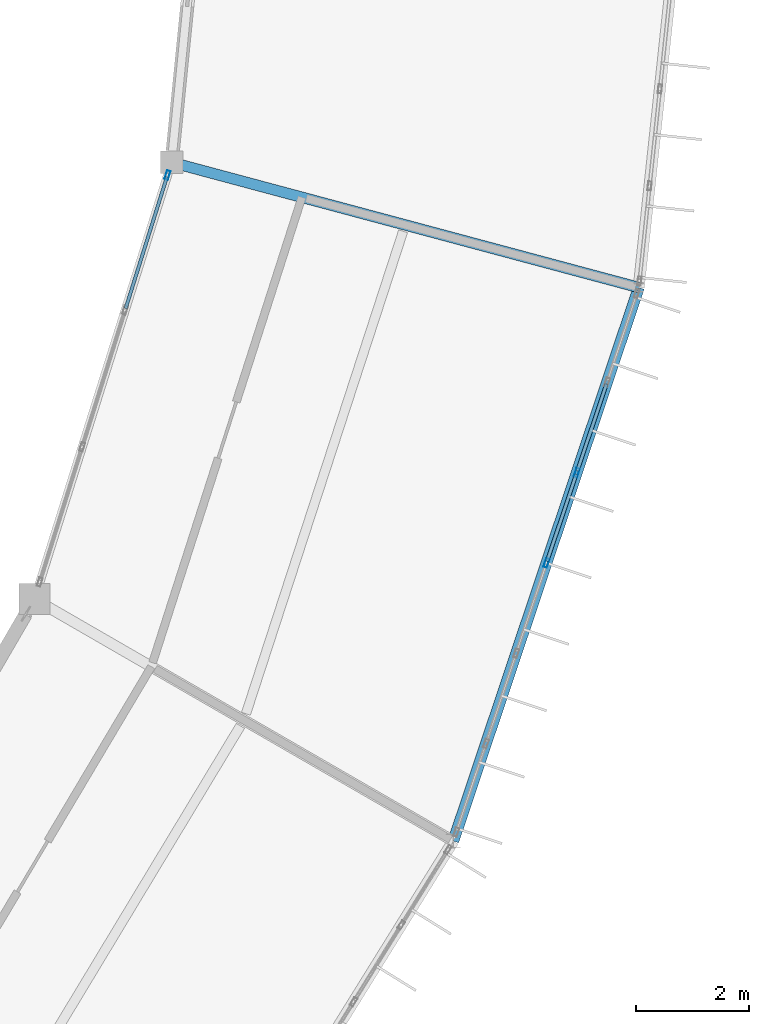
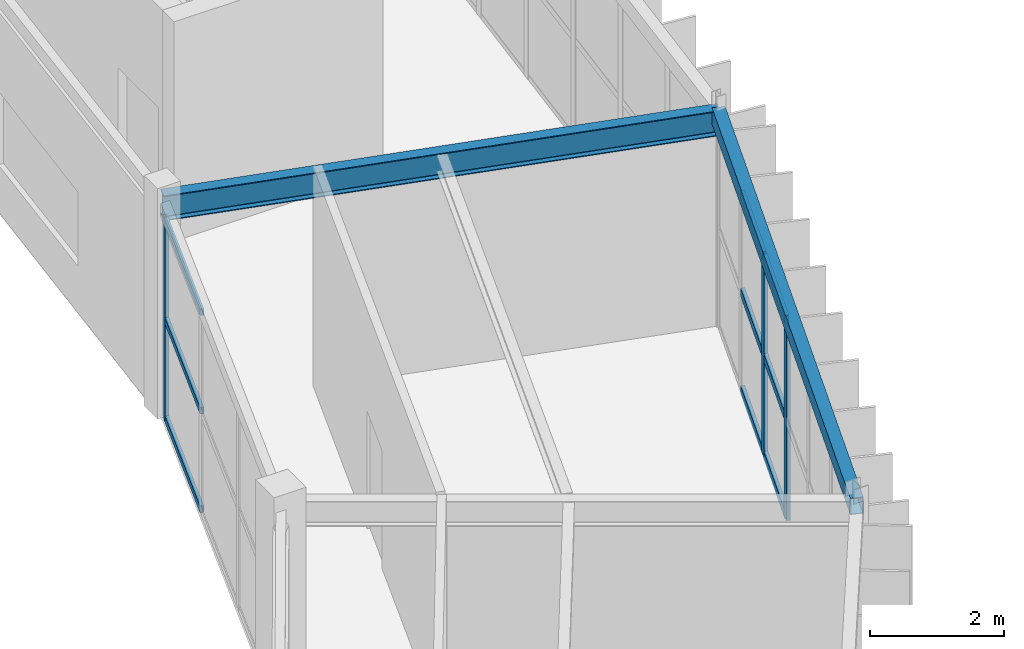
# One storey, part 56 of 130: 12 members, 2 beams, 2 elements without a shape of their own.
"""IFC4 building model written with IfcOpenShell, lengths in metres."""

import ifcopenshell
import ifcopenshell.guid

model = None  # the IFC model being written
_history = None  # IfcOwnerHistory: only IFC2X3 demands one
_inside = {}  # id of a spatial element -> (the spatial element, [elements in it])
_under = {}  # id of a project, library or spatial element -> (it, [spatial elements below it])
_declared = {}  # id of a project -> (the project, [libraries it declares])
_typed = {}  # id of a type object -> (the type object, [elements of that type])
_made_of = {}  # id of a material, layer set ... -> (it, [elements and type objects made of it])


def new_model(schema):
    """Start an empty IFC model of exactly this schema.

    Asked for "IFC4X3", IfcOpenShell would pick the latest addendum, in which some entities
    have other attributes; the version numbers below select the first issue.
    IFC2X3 requires an IfcOwnerHistory on every rooted entity: one is made here for all.
    """
    global model, _history
    if schema == "IFC4X3":
        model = ifcopenshell.file(schema_version=(4, 3, 0, 0))
    else:
        model = ifcopenshell.file(schema=schema)
    _inside.clear()
    _under.clear()
    _declared.clear()
    _typed.clear()
    _made_of.clear()
    _history = None
    if model.schema == "IFC2X3":
        org = make("IfcOrganization", Name="unknown")
        user = make(
            "IfcPersonAndOrganization",
            ThePerson=make("IfcPerson", FamilyName="unknown"),
            TheOrganization=org,
        )
        app = make(
            "IfcApplication",
            ApplicationDeveloper=org,
            Version="unknown",
            ApplicationFullName="unknown",
            ApplicationIdentifier="unknown",
        )
        _history = make(
            "IfcOwnerHistory",
            OwningUser=user,
            OwningApplication=app,
            ChangeAction="ADDED",
            CreationDate=0,
        )
    return model


def make(cls, **values):
    """One entity of the class cls with the attributes given. An attribute that is None is left unset."""
    return model.create_entity(
        cls, **{name: value for name, value in values.items() if value is not None}
    )


def rooted(cls, **values):
    """An entity with a GlobalId (a new one), such as an element, a storey or a relation."""
    return make(cls, GlobalId=ifcopenshell.guid.new(), OwnerHistory=_history, **values)


def si_unit(unit_type, name, prefix=None):
    """IfcSIUnit, for example si_unit("LENGTHUNIT", "METRE", prefix="MILLI")."""
    return make("IfcSIUnit", UnitType=unit_type, Prefix=prefix, Name=name)


def assignment(units):
    """IfcUnitAssignment: the units of a project."""
    return None if units is None else make("IfcUnitAssignment", Units=units)


def point(xyz):
    """IfcCartesianPoint."""
    return None if xyz is None else make("IfcCartesianPoint", Coordinates=xyz)


def direction(xyz):
    """IfcDirection."""
    return None if xyz is None else make("IfcDirection", DirectionRatios=xyz)


def frame(location, z_axis=None, x_axis=None):
    """IfcAxis2Placement3D, a coordinate frame: its origin and axes. An axis left out is left unset."""
    return make(
        "IfcAxis2Placement3D",
        Location=point(location),
        Axis=direction(z_axis),
        RefDirection=direction(x_axis),
    )


def frame_2d(location, x_axis=None):
    """IfcAxis2Placement2D, a coordinate frame in the plane: its origin and x axis."""
    return make(
        "IfcAxis2Placement2D", Location=point(location), RefDirection=direction(x_axis)
    )


def origin():
    """The frame at (0, 0, 0) with its axes left unset."""
    return frame((0.0, 0.0, 0.0))


def origin_2d():
    """The frame at (0, 0) in the plane with its x axis left unset."""
    return frame_2d((0.0, 0.0))


def place(relative_to, where):
    """IfcLocalPlacement: puts the frame where relative to a parent placement (None: the world)."""
    return make(
        "IfcLocalPlacement", PlacementRelTo=relative_to, RelativePlacement=where
    )


def context(
    kind, dimensions, precision=None, world=None, true_north=None, identifier=None
):
    """IfcGeometricRepresentationContext, for example the 3D "Model" context."""
    return make(
        "IfcGeometricRepresentationContext",
        ContextIdentifier=identifier,
        ContextType=kind,
        CoordinateSpaceDimension=dimensions,
        Precision=precision,
        WorldCoordinateSystem=world,
        TrueNorth=true_north,
    )


def subcontext(parent, identifier, kind, view, scale=None):
    """IfcGeometricRepresentationSubContext, for example "Body" below "Model"."""
    return make(
        "IfcGeometricRepresentationSubContext",
        ContextIdentifier=identifier,
        ContextType=kind,
        ParentContext=parent,
        TargetScale=scale,
        TargetView=view,
    )


def project(units=None, contexts=None):
    """IfcProject with its units and contexts."""
    return rooted(
        "IfcProject",
        Name="project",
        RepresentationContexts=contexts,
        UnitsInContext=assignment(units),
    )


def spatial(cls, under=None, at=None, **own):
    """A site, building, storey or space (cls), placed at a placement, below another one or the project."""
    s = rooted(cls, ObjectPlacement=at, **own)
    if under is not None:
        _under.setdefault(under.id(), (under, []))[1].append(s)
    return s


def profile(cls, at=None, kind="AREA", **sizes):
    """A parametric profile (cls). Its sizes go by their IFC names, for example OverallWidth=200.0."""
    return make(cls, ProfileType=kind, Position=at, **sizes)


def hollow_rectangle(**sizes):
    """IfcRectangleHollowProfileDef."""
    return profile("IfcRectangleHollowProfileDef", **sizes)


def i_section(**sizes):
    """IfcIShapeProfileDef."""
    return profile("IfcIShapeProfileDef", **sizes)


def extrude(swept, where, along, depth):
    """IfcExtrudedAreaSolid: the profile swept, set in the frame where, extruded along a direction by depth."""
    return make(
        "IfcExtrudedAreaSolid",
        SweptArea=swept,
        Position=where,
        ExtrudedDirection=direction(along),
        Depth=depth,
    )


def shape(context_of_items, identifier, shape_type, items):
    """IfcShapeRepresentation: the items that make up one representation, for example the "Body"."""
    return make(
        "IfcShapeRepresentation",
        ContextOfItems=context_of_items,
        RepresentationIdentifier=identifier,
        RepresentationType=shape_type,
        Items=items,
    )


def material(Name=None, Category=None):
    """IfcMaterial."""
    return make("IfcMaterial", Name=Name, Category=Category)


def material_profile(
    of_material, cross_section, Name=None, Category=None, Priority=None
):
    """IfcMaterialProfile: a cross section and its material."""
    return make(
        "IfcMaterialProfile",
        Name=Name,
        Material=of_material,
        Profile=cross_section,
        Priority=Priority,
        Category=Category,
    )


def profile_set(profiles, Name=None, composite=None):
    """IfcMaterialProfileSet."""
    return make(
        "IfcMaterialProfileSet",
        Name=Name,
        MaterialProfiles=profiles,
        CompositeProfile=composite,
    )


def made_of(thing, what):
    """Note that an element or type object is made of a material, layer set ...; save() writes the relation."""
    if what is not None:
        _made_of.setdefault(what.id(), (what, []))[1].append(thing)
    return thing


def type_object(cls, material=None, **own):
    """A type object (cls), such as IfcWallType, which elements share."""
    return made_of(rooted(cls, **own), material)


def element(
    cls,
    number,
    at=None,
    inside=None,
    cuts=None,
    type_object=None,
    material=None,
    context=None,
    identifier="Body",
    shape_type=None,
    held_by="IfcProductDefinitionShape",
    body=None,
    shapes=None,
    **own,
):
    """One element of the class cls, such as IfcWall. Its Tag is "e" and its number.

    at: its placement. inside: the storey or other place that contains it. cuts: it is an
    opening in that element (IfcRelVoidsElement). A single representation is given by context,
    identifier, shape_type and body (its items); several are given by shapes. held_by: the class
    of the entity that holds the representations. save() writes the other relations.
    """
    e = rooted(cls, Tag="e%d" % number, ObjectPlacement=at, **own)
    if body is not None:
        shapes = [shape(context, identifier, shape_type, body)]
    if shapes is not None:
        e.Representation = make(held_by, Representations=shapes)
    if inside is not None:
        _inside.setdefault(inside.id(), (inside, []))[1].append(e)
    if cuts is not None:
        rooted(
            "IfcRelVoidsElement", RelatingBuildingElement=cuts, RelatedOpeningElement=e
        )
    if type_object is not None:
        _typed.setdefault(type_object.id(), (type_object, []))[1].append(e)
    return made_of(e, material)


def aggregate(whole, parts):
    """IfcRelAggregates: a whole, such as a stair, and the parts it consists of."""
    return rooted("IfcRelAggregates", RelatingObject=whole, RelatedObjects=parts)


def save(model, path):
    """Write the relations noted so far, then the file.

    IfcRelAggregates (storeys below a building ...), IfcRelContainedInSpatialStructure (elements
    in a storey), IfcRelDefinesByType, IfcRelAssociatesMaterial and IfcRelDeclares: one each for
    every whole, place, type object, material and project.
    """
    for whole, parts in _under.values():
        aggregate(whole, parts)
    for where, things in _inside.values():
        rooted(
            "IfcRelContainedInSpatialStructure",
            RelatedElements=things,
            RelatingStructure=where,
        )
    for kind, things in _typed.values():
        rooted("IfcRelDefinesByType", RelatedObjects=things, RelatingType=kind)
    for what, things in _made_of.values():
        rooted("IfcRelAssociatesMaterial", RelatedObjects=things, RelatingMaterial=what)
    for by, libraries in _declared.values():
        rooted("IfcRelDeclares", RelatingContext=by, RelatedDefinitions=libraries)
    model.write(path)


model = new_model("IFC4")

# Units and contexts
model_context = context("Model", 3, precision=1e-05, world=origin(), true_north=direction((0.0, 1.0)))
body_context = subcontext(model_context, "Body", "Model", "MODEL_VIEW")
ifc_project = project(units=[si_unit("LENGTHUNIT", "METRE"), si_unit("AREAUNIT", "SQUARE_METRE"), si_unit("VOLUMEUNIT", "CUBIC_METRE"), si_unit("PLANEANGLEUNIT", "RADIAN"), si_unit("MASSUNIT", "GRAM", prefix="KILO")], contexts=[model_context])

# Site, building, storey
site_placement = place(None, origin())
site = spatial("IfcSite", under=ifc_project, at=site_placement, CompositionType="ELEMENT")
building_placement = place(site_placement, origin())
building = spatial("IfcBuilding", under=site, at=building_placement, Name="Karori Crest Natural Sciences Institute", CompositionType="ELEMENT")
storey_placement = place(building_placement, frame((0.0, 0.0, 17.5)))
storey = spatial("IfcBuildingStorey", under=building, at=storey_placement, Name="L04", CompositionType="ELEMENT", Elevation=17.5)

# Beams
ifc_material_1 = material(Name="Structural steel AS/NZS 3679.1 Grade 350", Category="steel")
ifc_material_profile_1 = material_profile(ifc_material_1, i_section(OverallWidth=0.19091796875, OverallDepth=0.4599609375, WebThickness=0.010009765625, FlangeThickness=0.01611328125, FilletRadius=0.010986328125, at=origin_2d()), Name="460UB82.1")
ifc_profile_set_1 = profile_set([ifc_material_profile_1], Name="Structural steel AS/NZS 3679.1 Grade 350")
beam_type_1 = type_object("IfcBeamType", Name="BT-06", PredefinedType="BEAM", material=ifc_profile_set_1)
beam_1_placement = place(storey_placement, frame((89.968505859375, 41.56591796875, 3.7099609375), z_axis=(0.96592752402, -0.258812709002, 0.0), x_axis=(0.258812709002, 0.96592752402, 0.0)))
element("IfcBeam", 1, at=beam_1_placement, inside=storey, type_object=beam_type_1, Name="Beam B-0540", PredefinedType="BEAM", context=body_context, shape_type="SweptSolid", body=[
    extrude(i_section(OverallWidth=0.19091796875, OverallDepth=0.4599609375, WebThickness=0.010009765625, FlangeThickness=0.01611328125, FilletRadius=0.010986328125, at=origin_2d()), origin(), (0.0, 0.0, 1.0), 8.60009765625),
])
ifc_material_2 = material(Name="Hollow structural steel AS/NZS 1163 Grade C350", Category="steel")
ifc_material_profile_2 = material_profile(ifc_material_2, hollow_rectangle(XDim=0.199951171875, YDim=0.300048828125, WallThickness=0.010009765625, at=origin_2d()), Name="RHS300x200x10")
ifc_profile_set_2 = profile_set([ifc_material_profile_2], Name="Hollow structural steel AS/NZS 1163 Grade C350")
beam_type_2 = type_object("IfcBeamType", Name="BT-15", PredefinedType="SPANDREL", material=ifc_profile_set_2)
beam_2_placement = place(storey_placement, frame((94.978759765625, 29.5, 3.7900390625), z_axis=(0.317688324477, 0.948195195353, 0.0), x_axis=(-0.948195195353, 0.317688324477, 0.0)))
element("IfcBeam", 2, at=beam_2_placement, inside=storey, type_object=beam_type_2, Name="Beam B-0534", PredefinedType="SPANDREL", context=body_context, shape_type="SweptSolid", body=[
    extrude(hollow_rectangle(XDim=0.199951171875, YDim=0.300048828125, WallThickness=0.010009765625, at=origin_2d()), origin(), (0.0, 0.0, 1.0), 10.377685546875),
])

# Curtain wall, members
ifc_material_3 = material(Name="Anodised architectural aluminium 6063-T6", Category="aluminium")
curtain_wall_type_1 = type_object("IfcCurtainWallType", Name="CWT-03", PredefinedType="NOTDEFINED", material=ifc_material_3)
curtain_wall_1_placement = place(storey_placement, origin())
curtain_wall_1 = element("IfcCurtainWall", 3, at=curtain_wall_1_placement, inside=storey, type_object=curtain_wall_type_1, Name="Curtain wall CW-0169", PredefinedType="NOTDEFINED")
ifc_material_profile_3 = material_profile(ifc_material_3, hollow_rectangle(XDim=0.06494140625, YDim=0.159912109375, WallThickness=0.00390625, at=origin_2d()), Name="CWM160x65x4")
ifc_profile_set_3 = profile_set([ifc_material_profile_3], Name="Anodised architectural aluminium 6063-T6")
member_type_1 = type_object("IfcMemberType", Name="CWM-01", PredefinedType="MULLION", material=ifc_profile_set_3)
member_1_placement = place(storey_placement, frame((97.1728515625, 36.049072265625, 0.0), z_axis=(0.0, 0.0, 1.0), x_axis=(0.94819805026, -0.317679803392, 0.0)))
member_1 = element("IfcMember", 4, at=member_1_placement, type_object=member_type_1, Name="CW-0169 mullion 3", PredefinedType="MULLION", context=body_context, shape_type="SweptSolid", body=[
    extrude(hollow_rectangle(XDim=0.06494140625, YDim=0.159912109375, WallThickness=0.00390625, at=origin_2d()), origin(), (0.0, 0.0, 1.0), 3.625),
])
member_2_placement = place(storey_placement, frame((96.635009765625, 34.443115234375, 0.0), z_axis=(0.0, 0.0, 1.0), x_axis=(0.94819805026, -0.317679803392, 0.0)))
member_2 = element("IfcMember", 5, at=member_2_placement, type_object=member_type_1, Name="CW-0169 mullion 4", PredefinedType="MULLION", context=body_context, shape_type="SweptSolid", body=[
    extrude(hollow_rectangle(XDim=0.06494140625, YDim=0.159912109375, WallThickness=0.00390625, at=origin_2d()), origin(), (0.0, 0.0, 1.0), 3.625),
])

curtain_wall_type_2 = type_object("IfcCurtainWallType", Name="CWT-13", PredefinedType="NOTDEFINED", material=ifc_material_3)
curtain_wall_2_placement = place(storey_placement, origin())
curtain_wall_2 = element("IfcCurtainWall", 6, at=curtain_wall_2_placement, inside=storey, type_object=curtain_wall_type_2, Name="Curtain wall CW-0170", PredefinedType="NOTDEFINED")
member_3_placement = place(storey_placement, frame((89.896728515625, 41.3369140625, 0.0), z_axis=(0.0, 0.0, 1.0), x_axis=(-0.954104067778, 0.299475254154, 0.0)))
member_3 = element("IfcMember", 7, at=member_3_placement, type_object=member_type_1, Name="CW-0170 mullion 4", PredefinedType="MULLION", context=body_context, shape_type="SweptSolid", body=[
    extrude(hollow_rectangle(XDim=0.06494140625, YDim=0.159912109375, WallThickness=0.00390625, at=origin_2d()), origin(), (0.0, 0.0, 1.0), 3.64990234375),
])
ifc_material_profile_4 = material_profile(ifc_material_3, hollow_rectangle(XDim=0.06005859375, YDim=0.1201171875, WallThickness=0.00390625, at=origin_2d()), Name="CWT120x60x4")
ifc_profile_set_4 = profile_set([ifc_material_profile_4], Name="Anodised architectural aluminium 6063-T6")
member_type_2 = type_object("IfcMemberType", Name="CWT-TR1", PredefinedType="USERDEFINED", material=ifc_profile_set_4)
member_4_placement = place(storey_placement, frame((89.15283203125, 38.96728515625, 0.030029296875), z_axis=(0.29950542383, 0.954094597562, 0.0), x_axis=(-0.954094597562, 0.29950542383, 0.0)))
member_4 = element("IfcMember", 8, at=member_4_placement, type_object=member_type_2, Name="CW-0170 transom 3.1", ObjectType="TRANSOM", PredefinedType="USERDEFINED", context=body_context, shape_type="SweptSolid", body=[
    extrude(hollow_rectangle(XDim=0.06005859375, YDim=0.1201171875, WallThickness=0.00390625, at=origin_2d()), origin(), (0.0, 0.0, 1.0), 2.451171875),
])
member_5_placement = place(storey_placement, frame((89.15283203125, 38.96728515625, 1.824951171875), z_axis=(0.29950542383, 0.954094597562, 0.0), x_axis=(-0.954094597562, 0.29950542383, 0.0)))
member_5 = element("IfcMember", 9, at=member_5_placement, type_object=member_type_2, Name="CW-0170 transom 3.2", ObjectType="TRANSOM", PredefinedType="USERDEFINED", context=body_context, shape_type="SweptSolid", body=[
    extrude(hollow_rectangle(XDim=0.06005859375, YDim=0.1201171875, WallThickness=0.00390625, at=origin_2d()), origin(), (0.0, 0.0, 1.0), 2.451171875),
])
member_6_placement = place(storey_placement, frame((89.15283203125, 38.96728515625, 3.6201171875), z_axis=(0.29950542383, 0.954094597562, 0.0), x_axis=(-0.954094597562, 0.29950542383, 0.0)))
member_6 = element("IfcMember", 10, at=member_6_placement, type_object=member_type_2, Name="CW-0170 transom 3.3", ObjectType="TRANSOM", PredefinedType="USERDEFINED", context=body_context, shape_type="SweptSolid", body=[
    extrude(hollow_rectangle(XDim=0.06005859375, YDim=0.1201171875, WallThickness=0.00390625, at=origin_2d()), origin(), (0.0, 0.0, 1.0), 2.451171875),
])
aggregate(curtain_wall_2, [member_3, member_4, member_5, member_6])

# Member
ifc_material_profile_5 = material_profile(ifc_material_3, hollow_rectangle(XDim=0.06494140625, YDim=0.14990234375, WallThickness=0.00390625, at=origin_2d()), Name="CWT150x65x4")
ifc_profile_set_5 = profile_set([ifc_material_profile_5], Name="Anodised architectural aluminium 6063-T6")
member_type_3 = type_object("IfcMemberType", Name="CWT-TR2", PredefinedType="USERDEFINED", material=ifc_profile_set_5)
member_7_placement = place(storey_placement, frame((97.70068359375, 37.624267578125, 0.032470703125), z_axis=(-0.317621421426, -0.948217608279, 0.0), x_axis=(0.948217608279, -0.317621421426, 0.0)))
member_7 = element("IfcMember", 11, at=member_7_placement, type_object=member_type_3, Name="CW-0169 transom 2.1", ObjectType="TRANSOM", PredefinedType="USERDEFINED", context=body_context, shape_type="SweptSolid", body=[
    extrude(hollow_rectangle(XDim=0.06494140625, YDim=0.14990234375, WallThickness=0.00390625, at=origin_2d()), origin(), (0.0, 0.0, 1.0), 1.628662109375),
])

member_8_placement = place(storey_placement, frame((97.70068359375, 37.624267578125, 1.8125), z_axis=(-0.317621421426, -0.948217608279, 0.0), x_axis=(0.948217608279, -0.317621421426, 0.0)))
member_8 = element("IfcMember", 12, at=member_8_placement, type_object=member_type_3, Name="CW-0169 transom 2.2", ObjectType="TRANSOM", PredefinedType="USERDEFINED", context=body_context, shape_type="SweptSolid", body=[
    extrude(hollow_rectangle(XDim=0.06494140625, YDim=0.14990234375, WallThickness=0.00390625, at=origin_2d()), origin(), (0.0, 0.0, 1.0), 1.628662109375),
])

member_9_placement = place(storey_placement, frame((97.70068359375, 37.624267578125, 3.592529296875), z_axis=(-0.317621421426, -0.948217608279, 0.0), x_axis=(0.948217608279, -0.317621421426, 0.0)))
member_9 = element("IfcMember", 13, at=member_9_placement, type_object=member_type_3, Name="CW-0169 transom 2.3", ObjectType="TRANSOM", PredefinedType="USERDEFINED", context=body_context, shape_type="SweptSolid", body=[
    extrude(hollow_rectangle(XDim=0.06494140625, YDim=0.14990234375, WallThickness=0.00390625, at=origin_2d()), origin(), (0.0, 0.0, 1.0), 1.628662109375),
])

member_10_placement = place(storey_placement, frame((97.16259765625, 36.018310546875, 0.032470703125), z_axis=(-0.317621421426, -0.948217608279, 0.0), x_axis=(0.948217608279, -0.317621421426, 0.0)))
member_10 = element("IfcMember", 14, at=member_10_placement, type_object=member_type_3, Name="CW-0169 transom 3.1", ObjectType="TRANSOM", PredefinedType="USERDEFINED", context=body_context, shape_type="SweptSolid", body=[
    extrude(hollow_rectangle(XDim=0.06494140625, YDim=0.14990234375, WallThickness=0.00390625, at=origin_2d()), origin(), (0.0, 0.0, 1.0), 1.628662109375),
])

member_11_placement = place(storey_placement, frame((97.16259765625, 36.018310546875, 1.8125), z_axis=(-0.317621421426, -0.948217608279, 0.0), x_axis=(0.948217608279, -0.317621421426, 0.0)))
member_11 = element("IfcMember", 15, at=member_11_placement, type_object=member_type_3, Name="CW-0169 transom 3.2", ObjectType="TRANSOM", PredefinedType="USERDEFINED", context=body_context, shape_type="SweptSolid", body=[
    extrude(hollow_rectangle(XDim=0.06494140625, YDim=0.14990234375, WallThickness=0.00390625, at=origin_2d()), origin(), (0.0, 0.0, 1.0), 1.628662109375),
])

member_12_placement = place(storey_placement, frame((97.16259765625, 36.018310546875, 3.592529296875), z_axis=(-0.317621421426, -0.948217608279, 0.0), x_axis=(0.948217608279, -0.317621421426, 0.0)))
member_12 = element("IfcMember", 16, at=member_12_placement, type_object=member_type_3, Name="CW-0169 transom 3.3", ObjectType="TRANSOM", PredefinedType="USERDEFINED", context=body_context, shape_type="SweptSolid", body=[
    extrude(hollow_rectangle(XDim=0.06494140625, YDim=0.14990234375, WallThickness=0.00390625, at=origin_2d()), origin(), (0.0, 0.0, 1.0), 1.628662109375),
])

aggregate(curtain_wall_1, [member_1, member_2, member_7, member_8, member_9, member_10, member_11, member_12])

save(model, "model.ifc")
